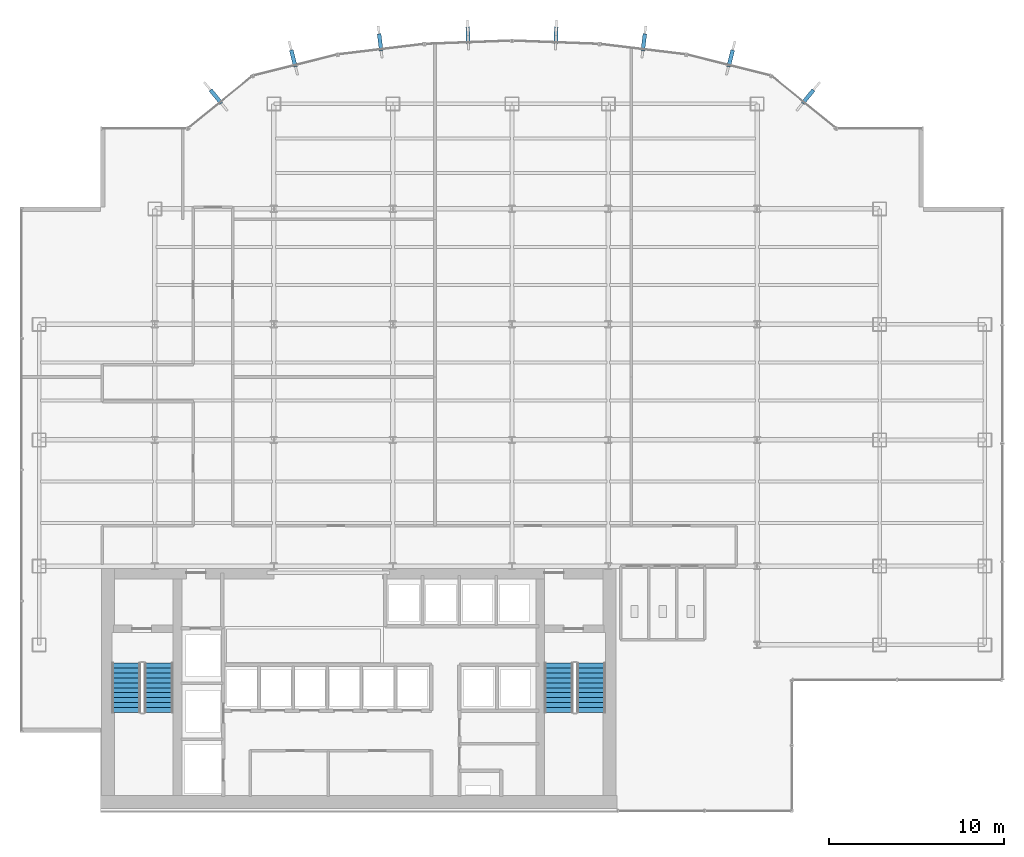
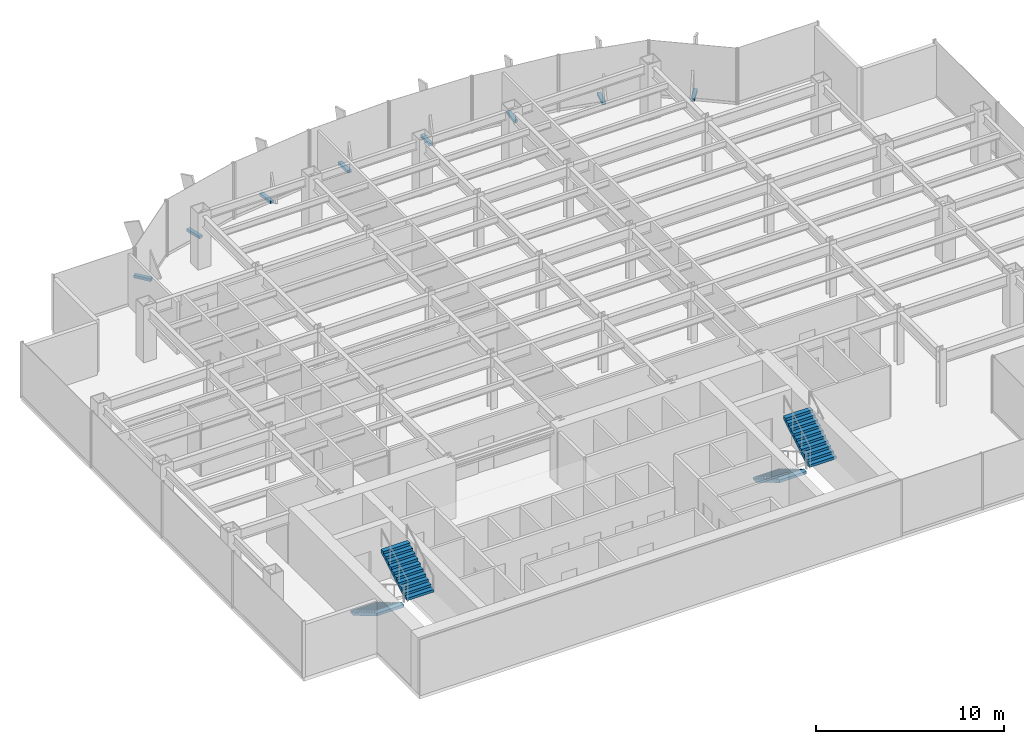
# One storey, part 23 of 26: 8 discrete accessories, 4 stair flights, 2 elements without a shape of their own.
"""IFC4 building model written with IfcOpenShell, lengths in metres."""

from ifc_helpers import new_model, si_unit, derived_unit, direction, frame, origin, origin_2d, place, context, subcontext, project, spatial, polyline, rectangle, outline, extrude, source, transform, mapped, material, type_object, element, aggregate, save


model = new_model("IFC4")

# Units and contexts
model_context = context("Model", 3, precision=1e-05, world=origin(), true_north=direction((0.0, 1.0)))
body_context = subcontext(model_context, "Body", "Model", "MODEL_VIEW")
ifc_project = project(units=[si_unit("LENGTHUNIT", "METRE"), si_unit("AREAUNIT", "SQUARE_METRE"), si_unit("VOLUMEUNIT", "CUBIC_METRE"), si_unit("PLANEANGLEUNIT", "RADIAN"), si_unit("MASSUNIT", "GRAM", prefix="KILO"), derived_unit("THERMALTRANSMITTANCEUNIT", [(si_unit("POWERUNIT", "WATT"), 1), (si_unit("LENGTHUNIT", "METRE"), -2), (si_unit("THERMODYNAMICTEMPERATUREUNIT", "KELVIN"), -1)])], contexts=[model_context])

# Site, building, storey
site_placement = place(None, origin())
site = spatial("IfcSite", under=ifc_project, at=site_placement, CompositionType="ELEMENT")
building_placement = place(site_placement, origin())
building = spatial("IfcBuilding", under=site, at=building_placement, Name="Skarnbrae Concourse Arena and Tower", CompositionType="ELEMENT")
storey_placement = place(building_placement, frame((0.0, 0.0, 125.14990234375)))
storey = spatial("IfcBuildingStorey", under=building, at=storey_placement, Name="L31", CompositionType="ELEMENT", Elevation=125.14990234375)

# Stair, stair flights
ifc_material_1 = material(Name="Concrete 40 MPa (C40/50)", Category="concrete")
stair_type = type_object("IfcStairType", Name="STAIR-DOGLEG-1650", PredefinedType="HALF_TURN_STAIR", material=ifc_material_1)
stair_1_placement = place(storey_placement, origin())
stair_1 = element("IfcStair", 1, at=stair_1_placement, inside=storey, type_object=stair_type, Name="L31 Protected Exit Stair ST-1", PredefinedType="HALF_TURN_STAIR")
stair_flight_type = type_object("IfcStairFlightType", Name="FLIGHT-STRAIGHT-1650", PredefinedType="STRAIGHT", material=ifc_material_1)
shared_shape_1 = source(origin(), body_context, "Body", "SweptSolid", [
    extrude(outline(polyline([(0.0, 0.0), (0.0, 0.166015625), (0.280029296875, 0.166015625), (0.280029296875, 0.331787109375), (0.56005859375, 0.331787109375), (0.56005859375, 0.497802734375), (0.840087890625, 0.497802734375), (0.840087890625, 0.66357421875), (1.1201171875, 0.66357421875), (1.1201171875, 0.82958984375), (1.39990234375, 0.82958984375), (1.39990234375, 0.995361328125), (1.679931640625, 0.995361328125), (1.679931640625, 1.161376953125), (1.9599609375, 1.161376953125), (1.9599609375, 1.327392578125), (2.239990234375, 1.327392578125), (2.239990234375, 1.4931640625), (2.52001953125, 1.4931640625), (2.52001953125, 1.6591796875), (2.800048828125, 1.6591796875), (2.800048828125, 1.824951171875), (2.800048828125, 1.48486328125), (0.2939453125, 0.0), (0.0, 0.0)])), frame((0.0, 0.824951171875, 0.0), z_axis=(0.0, -1.0, 0.0), x_axis=(1.0, 0.0, 0.0)), (0.0, 0.0, 1.0), 1.64990234375),
])
stair_flight_1_placement = place(storey_placement, frame((5.97509765625, 8.449951171875, 0.0), z_axis=(0.0, 0.0, 1.0), x_axis=(0.0, -1.0, 0.0)))
stair_flight_1 = element("IfcStairFlight", 2, at=stair_flight_1_placement, type_object=stair_flight_type, Name="ST-1 flight 1", NumberOfRisers=11, NumberOfTreads=10, PredefinedType="STRAIGHT", RiserHeight=0.165909091, TreadLength=0.28, context=body_context, shape_type="MappedRepresentation", body=[
    mapped(shared_shape_1, transform((0.0, 0.0, 0.0))),
])
stair_flight_2_placement = place(storey_placement, frame((7.824951171875, 5.64990234375, 1.8251953125), z_axis=(0.0, 0.0, 1.0), x_axis=(0.0, 1.0, 0.0)))
stair_flight_2 = element("IfcStairFlight", 3, at=stair_flight_2_placement, type_object=stair_flight_type, Name="ST-1 flight 2", NumberOfRisers=11, NumberOfTreads=10, PredefinedType="STRAIGHT", RiserHeight=0.165909091, TreadLength=0.28, context=body_context, shape_type="MappedRepresentation", body=[
    mapped(shared_shape_1, transform((0.0, 0.0, 0.0))),
])
aggregate(stair_1, [stair_flight_1, stair_flight_2])

stair_2_placement = place(storey_placement, origin())
stair_2 = element("IfcStair", 4, at=stair_2_placement, inside=storey, type_object=stair_type, Name="L31 Protected Exit Stair ST-2", PredefinedType="HALF_TURN_STAIR")
stair_flight_3_placement = place(storey_placement, frame((30.675048828125, 8.449951171875, 0.0), z_axis=(0.0, 0.0, 1.0), x_axis=(0.0, -1.0, 0.0)))
stair_flight_3 = element("IfcStairFlight", 5, at=stair_flight_3_placement, type_object=stair_flight_type, Name="ST-2 flight 1", NumberOfRisers=11, NumberOfTreads=10, PredefinedType="STRAIGHT", RiserHeight=0.165909091, TreadLength=0.28, context=body_context, shape_type="MappedRepresentation", body=[
    mapped(shared_shape_1, transform((0.0, 0.0, 0.0))),
])
stair_flight_4_placement = place(storey_placement, frame((32.52490234375, 5.64990234375, 1.8251953125), z_axis=(0.0, 0.0, 1.0), x_axis=(0.0, 1.0, 0.0)))
stair_flight_4 = element("IfcStairFlight", 6, at=stair_flight_4_placement, type_object=stair_flight_type, Name="ST-2 flight 2", NumberOfRisers=11, NumberOfTreads=10, PredefinedType="STRAIGHT", RiserHeight=0.165909091, TreadLength=0.28, context=body_context, shape_type="MappedRepresentation", body=[
    mapped(shared_shape_1, transform((0.0, 0.0, 0.0))),
])
aggregate(stair_2, [stair_flight_3, stair_flight_4])

# Discrete accessories
ifc_material_2 = material(Name="Bronze anodised aluminium 6063-T6", Category="aluminium")
discrete_accessory_type = type_object("IfcDiscreteAccessoryType", Name="ACC-FIN-BRACKET", PredefinedType="BRACKET", material=ifc_material_2)
shared_shape_2 = source(origin(), body_context, "Body", "SweptSolid", [
    extrude(rectangle(XDim=0.219970703125, YDim=0.97998046875, at=origin_2d()), origin(), (0.0, 0.0, 1.0), 0.179931640625),
])
for number, where, z_axis, x_axis, name in (
    (7, (44.90771484375, 40.80859375, -0.02978515625), (0.0, 0.0, 1.0), (0.776244501415, -0.630431974144, 0.0), "L31 Bronze fin foot support bracket 08"),
    (8, (40.485107421875, 42.992431640625, -0.02978515625), (0.0, 0.0, 1.0), (0.969901771235, -0.243496517748, 0.0), "L31 Bronze fin foot support bracket 09"),
    (9, (35.529541015625, 43.910400390625, -0.02978515625), (0.0, 0.0, 1.0), (0.992748952377, -0.120206146079, 0.0), "L31 Bronze fin foot support bracket 10"),
    (10, (30.514404296875, 44.306640625, -0.02978515625), (0.0, 0.0, 1.0), (0.999308421355, -0.037184392011, 0.0), "L31 Bronze fin foot support bracket 11"),
    (11, (25.485595703125, 44.306640625, -0.02978515625), (0.0, 0.0, 1.0), (0.999308421355, 0.037184392011, 0.0), "L31 Bronze fin foot support bracket 12"),
    (12, (20.470458984375, 43.910400390625, -0.02978515625), (0.0, 0.0, 1.0), (0.992748952377, 0.120206146079, 0.0), "L31 Bronze fin foot support bracket 13"),
    (13, (15.514892578125, 42.992431640625, -0.02978515625), (0.0, 0.0, 1.0), (0.969901771235, 0.243496517748, 0.0), "L31 Bronze fin foot support bracket 14"),
    (14, (11.09228515625, 40.80859375, -0.02978515625), (0.0, 0.0, 1.0), (0.776244501415, 0.630431974144, 0.0), "L31 Bronze fin foot support bracket 15"),
):
    element("IfcDiscreteAccessory", number, at=place(storey_placement, frame(where, z_axis=z_axis, x_axis=x_axis)), inside=storey, type_object=discrete_accessory_type, Name=name, PredefinedType="BRACKET", context=body_context, shape_type="MappedRepresentation", body=[
        mapped(shared_shape_2, transform((0.0, 0.0, 0.0))),
    ])

save(model, "model.ifc")
